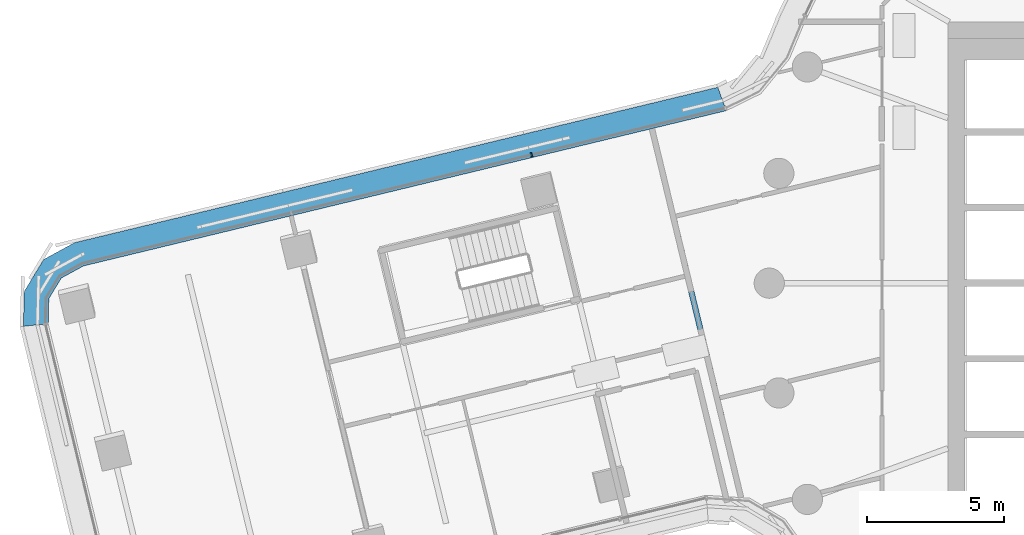
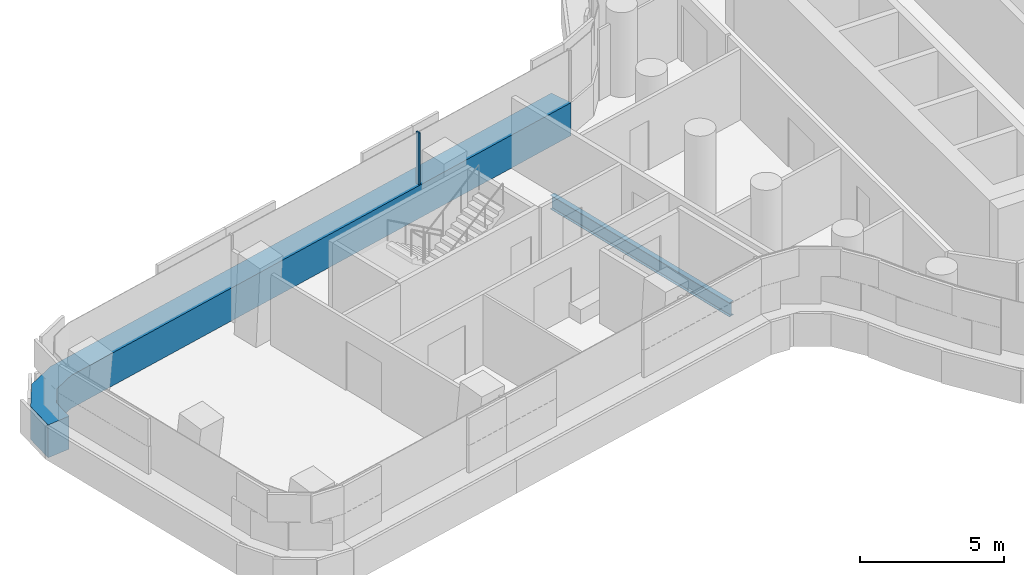
# One storey, part 6 of 33: 2 members, 1 beam, 1 element without a shape of its own.
"""IFC4 building model written with IfcOpenShell, lengths in metres."""

from ifc_helpers import new_model, si_unit, direction, frame, origin, origin_2d, place, context, subcontext, project, spatial, polyline, rectangle, i_section, outline, extrude, material, layer, layer_set, material_profile, profile_set, type_object, element, aggregate, save


model = new_model("IFC4")

# Units and contexts
model_context = context("Model", 3, precision=1e-05, world=origin(), true_north=direction((0.0, 1.0)))
body_context = subcontext(model_context, "Body", "Model", "MODEL_VIEW")
ifc_project = project(units=[si_unit("LENGTHUNIT", "METRE"), si_unit("AREAUNIT", "SQUARE_METRE"), si_unit("VOLUMEUNIT", "CUBIC_METRE"), si_unit("PLANEANGLEUNIT", "RADIAN"), si_unit("MASSUNIT", "GRAM", prefix="KILO")], contexts=[model_context])

# Site, building, storey
site_placement = place(None, origin())
site = spatial("IfcSite", under=ifc_project, at=site_placement, CompositionType="ELEMENT")
building_placement = place(site_placement, origin())
building = spatial("IfcBuilding", under=site, at=building_placement, Name="Tamarind Cross Interchange Tower", CompositionType="ELEMENT")
storey_placement = place(building_placement, frame((0.0, 0.0, 83.5)))
storey = spatial("IfcBuildingStorey", under=building, at=storey_placement, Name="L19", CompositionType="ELEMENT", Elevation=83.5)

# Beam
ifc_material_1 = material(Name="Steel Q355B", Category="steel")
ifc_material_profile_1 = material_profile(ifc_material_1, i_section(OverallWidth=0.199951171875, OverallDepth=0.60009765625, WebThickness=0.010986328125, FlangeThickness=0.01708984375, FilletRadius=0.012939453125, at=origin_2d()), Name="HN 600x200x11x17")
ifc_profile_set_1 = profile_set([ifc_material_profile_1], Name="Steel Q355B")
beam_type = type_object("IfcBeamType", Name="Composite beam HN 600x200x11x17 Q355B", PredefinedType="BEAM", material=ifc_profile_set_1)
beam_placement = place(storey_placement, frame((-26.805419921875, 3.709228515625, -0.43994140625), z_axis=(0.234834793136, -0.972035297678, 0.0), x_axis=(0.972035297678, 0.234834793136, 0.0)))
element("IfcBeam", 1, at=beam_placement, inside=storey, type_object=beam_type, Name="Beam W-x258", PredefinedType="BEAM", context=body_context, shape_type="SweptSolid", body=[
    extrude(i_section(OverallWidth=0.199951171875, OverallDepth=0.60009765625, WebThickness=0.010986328125, FlangeThickness=0.01708984375, FilletRadius=0.012939453125, at=origin_2d()), origin(), (0.0, 0.0, 1.0), 9.050048828125),
])

# Curtain wall, members
ifc_material_2 = material(Name="Aluminium 6063-T6", Category="aluminium")
ifc_layer = layer(ifc_material_2, 0.159912109375)
ifc_layer_set = layer_set([ifc_layer], Name="Aluminium 6063-T6")
curtain_wall_type = type_object("IfcCurtainWallType", Name="Office curtain wall, 9.0 m bays", PredefinedType="NOTDEFINED", material=ifc_layer_set)
curtain_wall_placement = place(storey_placement, origin())
curtain_wall = element("IfcCurtainWall", 2, at=curtain_wall_placement, inside=storey, type_object=curtain_wall_type, Name="CWS-L19-03", PredefinedType="NOTDEFINED")
ifc_material_3 = material(Name="Aluminium and insulated spandrel panel", Category="aluminium")
member_type_1 = type_object("IfcMemberType", Name="Floor-edge blade transom", PredefinedType="USERDEFINED", material=ifc_material_3)
member_1_placement = place(storey_placement, origin())
member_1 = element("IfcMember", 3, at=member_1_placement, type_object=member_type_1, Name="CWT-L19-03", ObjectType="TRANSOM", PredefinedType="USERDEFINED", context=body_context, shape_type="SweptSolid", body=[
    extrude(outline(polyline([(-24.56298828125, 6.2734375), (-47.945068359375, 0.62451171875), (-48.7490234375, 0.1865234375), (-49.204833984375, -0.559814453125), (-49.2275390625, -1.474853515625), (-50.130126953125, -1.571044921875), (-50.0986328125, -0.29638671875), (-49.391357421875, 0.861328125), (-48.271728515625, 1.471435546875), (-24.870361328125, 7.125244140625), (-24.56298828125, 6.2734375)])), origin(), (0.0, 0.0, 1.0), 1.39990234375),
])
ifc_material_profile_2 = material_profile(ifc_material_2, rectangle(XDim=0.06005859375, YDim=0.159912109375, at=origin_2d()), Name="Mullion CW1")
ifc_profile_set_2 = profile_set([ifc_material_profile_2], Name="Aluminium 6063-T6")
member_type_2 = type_object("IfcMemberType", Name="Mullion CW1", PredefinedType="MULLION", material=ifc_profile_set_2)
member_2_placement = place(storey_placement, frame((-31.642333984375, 4.666015625, 1.39990234375), z_axis=(0.0, 0.0, 1.0), x_axis=(-0.972033185193, -0.234843537027, 0.0)))
member_2 = element("IfcMember", 4, at=member_2_placement, type_object=member_type_2, Name="CWM-L19-03-01", PredefinedType="MULLION", context=body_context, shape_type="SweptSolid", body=[
    extrude(rectangle(XDim=0.06005859375, YDim=0.159912109375, at=origin_2d()), origin(), (0.0, 0.0, 1.0), 2.210205078125),
])
aggregate(curtain_wall, [member_2, member_1])

save(model, "model.ifc")
